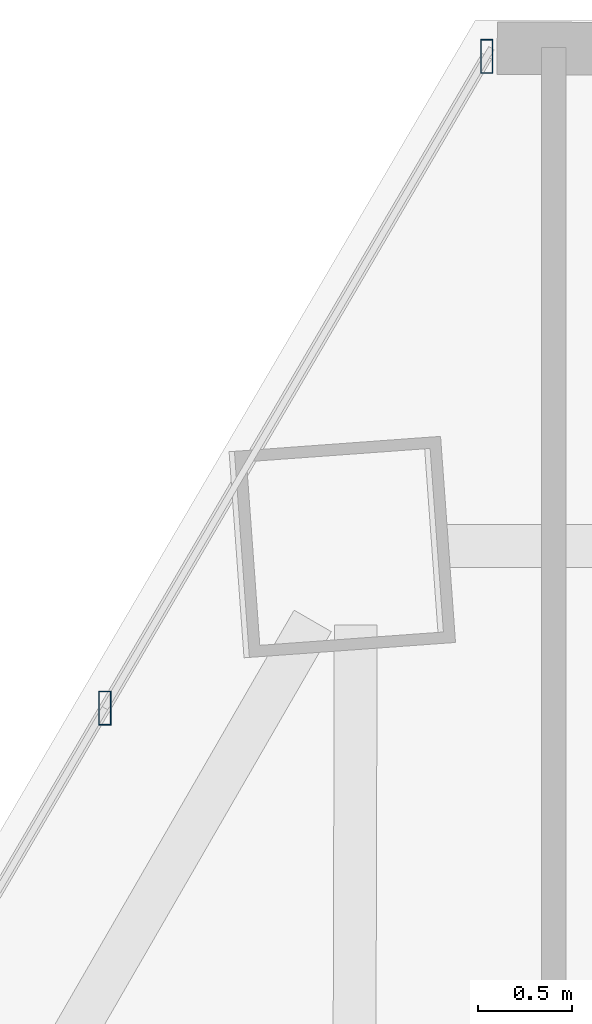
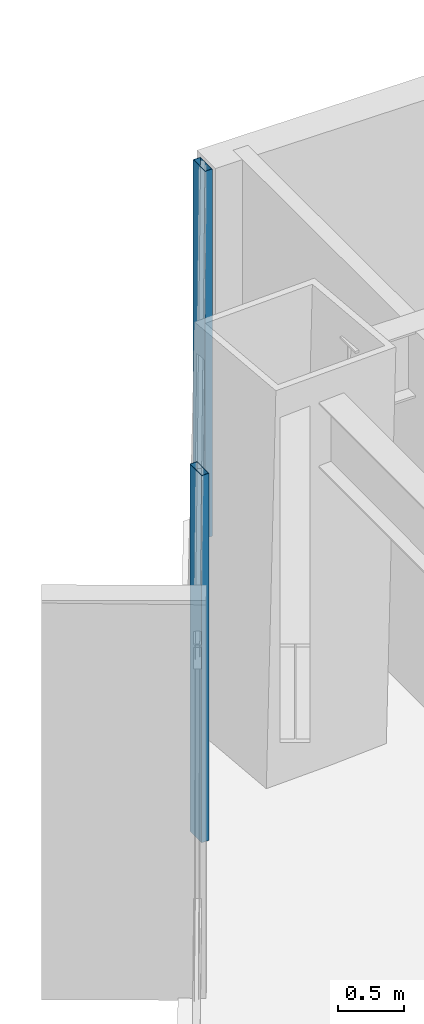
# One storey, part 26 of 37: 2 members, 1 element without a shape of its own.
"""IFC4 building model written with IfcOpenShell, lengths in metres."""

from ifc_helpers import new_model, si_unit, direction, frame, origin, origin_2d, place, context, subcontext, project, spatial, hollow_rectangle, extrude, source, transform, mapped, material, material_profile, profile_set, type_object, type_shapes, element, aggregate, save


model = new_model("IFC4")

# Units and contexts
model_context = context("Model", 3, precision=1e-05, world=origin(), true_north=direction((0.0, 1.0)))
body_context = subcontext(model_context, "Body", "Model", "MODEL_VIEW")
ifc_project = project(units=[si_unit("LENGTHUNIT", "METRE"), si_unit("AREAUNIT", "SQUARE_METRE"), si_unit("VOLUMEUNIT", "CUBIC_METRE"), si_unit("PLANEANGLEUNIT", "RADIAN"), si_unit("MASSUNIT", "GRAM", prefix="KILO")], contexts=[model_context])

# Site, building, storey
site_placement = place(None, origin())
site = spatial("IfcSite", under=ifc_project, at=site_placement, CompositionType="ELEMENT")
building_placement = place(site_placement, origin())
building = spatial("IfcBuilding", under=site, at=building_placement, Name="Caelisora Broadcast Tower", CompositionType="ELEMENT")
storey_placement = place(building_placement, frame((0.0, 0.0, 101.75)))
storey = spatial("IfcBuildingStorey", under=building, at=storey_placement, Name="L26", CompositionType="ELEMENT", Elevation=101.75)

# Curtain wall, members
ifc_material_1 = material(Name="Unitised Aluminium and Low-E Glass Curtain Wall", Category="glass")
curtain_wall_type = type_object("IfcCurtainWallType", Name="CW-Z2", PredefinedType="NOTDEFINED", material=ifc_material_1)
curtain_wall_placement = place(storey_placement, origin())
curtain_wall = element("IfcCurtainWall", 1, at=curtain_wall_placement, inside=storey, type_object=curtain_wall_type, Name="L26 curtain wall CW-Z2", PredefinedType="NOTDEFINED")
ifc_material_2 = material(Name="Aluminium 6063-T6 Anodised Terracotta Bronze", Category="aluminium")
ifc_material_profile = material_profile(ifc_material_2, hollow_rectangle(XDim=0.06494140625, YDim=0.179931640625, WallThickness=0.00341796875, at=origin_2d()), Name="Aluminium 6063-T6 Anodised Terracotta Bronze")
ifc_profile_set = profile_set([ifc_material_profile], Name="Aluminium 6063-T6 Anodised Terracotta Bronze")
member_type = type_object("IfcMemberType", Name="CWM-02", PredefinedType="MULLION", material=ifc_profile_set)
shared_shape = source(origin(), body_context, "Body", "SweptSolid", [
    extrude(hollow_rectangle(XDim=0.06494140625, YDim=0.179931640625, WallThickness=0.00341796875, at=origin_2d()), origin(), (0.0, 0.0, 1.0), 3.39990234375),
])
type_shapes(member_type, [shared_shape])
member_1_placement = place(storey_placement, frame((29.21044921875, 45.5458984375, 0.0), z_axis=(0.0, 0.0, 1.0), x_axis=(1.0, 0.0, 0.0)))
member_1 = element("IfcMember", 2, at=member_1_placement, type_object=member_type, Name="L26-CW-B11 mullion #2", PredefinedType="MULLION", context=body_context, shape_type="MappedRepresentation", body=[
    mapped(shared_shape, transform((0.0, 0.0, 0.0), scale=1.0)),
])
member_2_placement = place(storey_placement, frame((31.24365234375, 49.016845703125, 0.0), z_axis=(0.0, 0.0, 1.0), x_axis=(1.0, 0.0, 0.0)))
member_2 = element("IfcMember", 3, at=member_2_placement, type_object=member_type, Name="L26-CW-B11 mullion #3", PredefinedType="MULLION", context=body_context, shape_type="MappedRepresentation", body=[
    mapped(shared_shape, transform((0.0, 0.0, 0.0), scale=1.0)),
])
aggregate(curtain_wall, [member_1, member_2])

save(model, "model.ifc")
